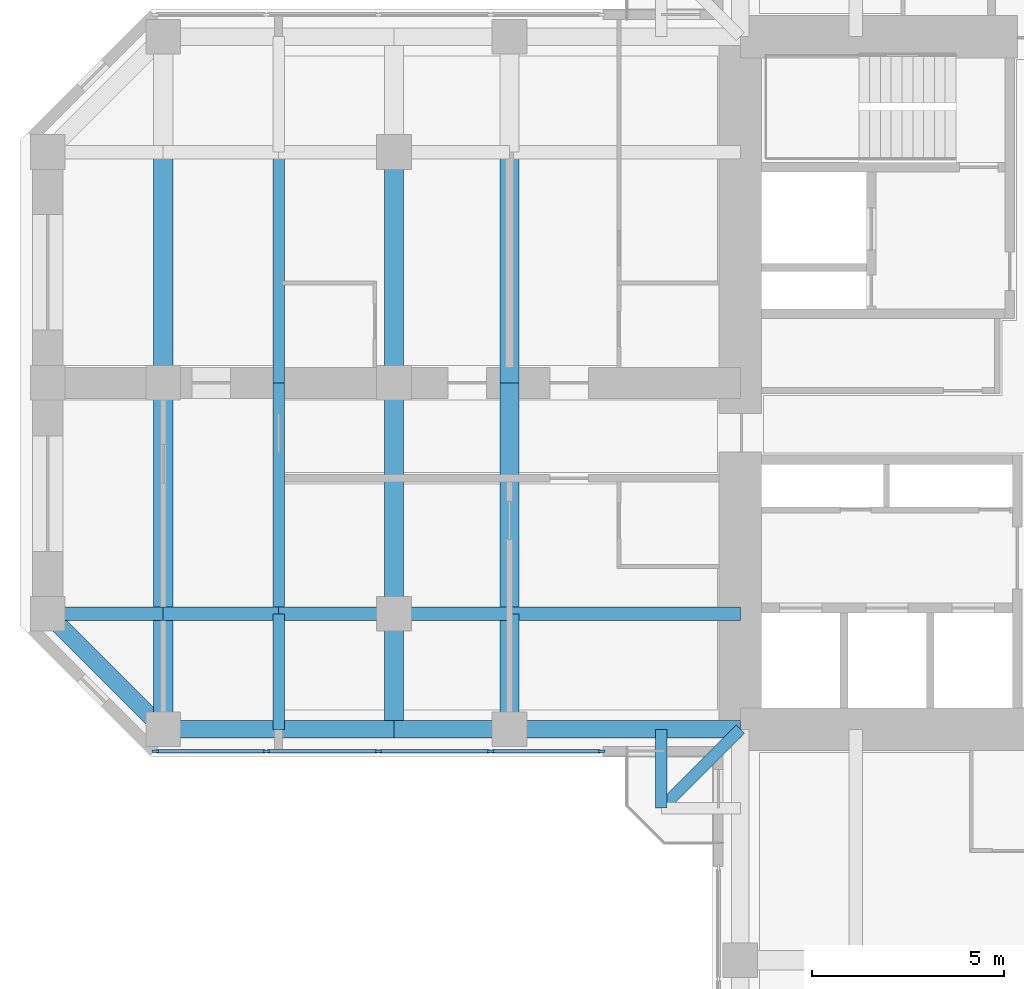
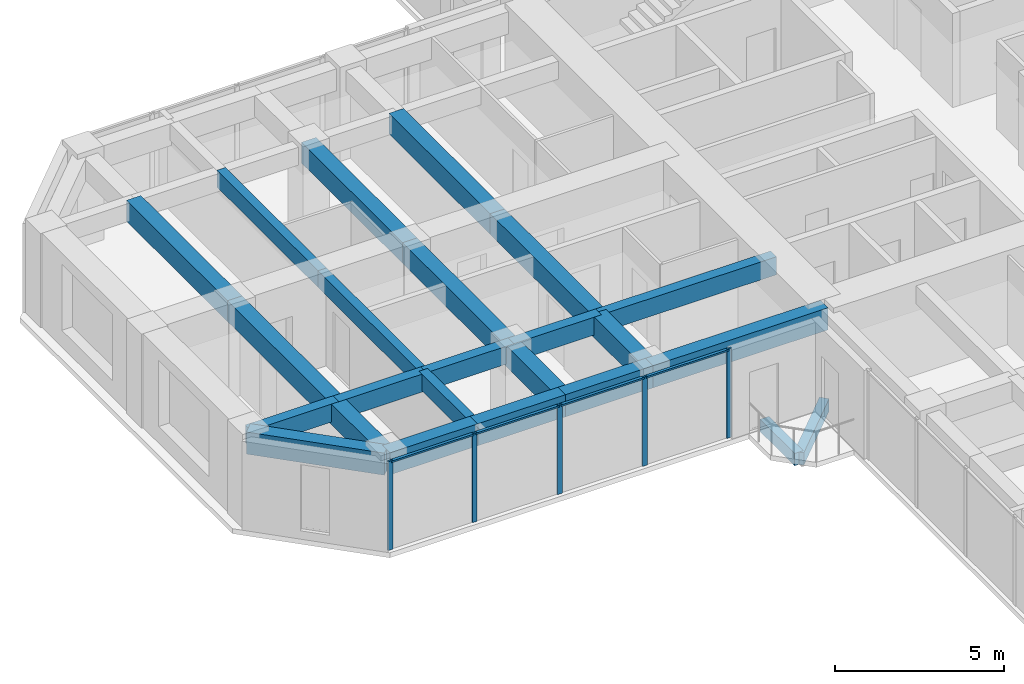
# One storey, part 3 of 14: 24 beams, 9 members, 1 element without a shape of its own.
"""IFC4 building model written with IfcOpenShell, lengths in metres."""

from ifc_helpers import new_model, si_unit, direction, frame, origin, origin_2d, place, context, subcontext, project, spatial, rectangle, extrude, material, material_profile, profile_set, type_object, element, aggregate, save


model = new_model("IFC4")

# Units and contexts
model_context = context("Model", 3, precision=1e-05, world=origin(), true_north=direction((0.0, 1.0)))
body_context = subcontext(model_context, "Body", "Model", "MODEL_VIEW")
ifc_project = project(units=[si_unit("LENGTHUNIT", "METRE"), si_unit("AREAUNIT", "SQUARE_METRE"), si_unit("VOLUMEUNIT", "CUBIC_METRE"), si_unit("PLANEANGLEUNIT", "RADIAN"), si_unit("MASSUNIT", "GRAM", prefix="KILO")], contexts=[model_context])

# Site, building, storey
site_placement = place(None, origin())
site = spatial("IfcSite", under=ifc_project, at=site_placement, CompositionType="ELEMENT")
building_placement = place(site_placement, origin())
building = spatial("IfcBuilding", under=site, at=building_placement, Name="Torre Cruceta", CompositionType="ELEMENT")
storey_placement = place(building_placement, frame((0.0, 0.0, 203.5)))
storey = spatial("IfcBuildingStorey", under=building, at=storey_placement, Name="L51", CompositionType="ELEMENT", Elevation=203.5)

# Beams
ifc_material_1 = material(Name="Concrete G60 (fck 60 MPa)", Category="concrete")
ifc_material_profile_1 = material_profile(ifc_material_1, rectangle(XDim=0.300048828125, YDim=0.449951171875, at=origin_2d()), Name="RC 300X450")
ifc_profile_set_1 = profile_set([ifc_material_profile_1], Name="Concrete G60 (fck 60 MPa)")
beam_type_1 = type_object("IfcBeamType", Name="BALCONY CANTILEVER BEAM RC 300X450", PredefinedType="BEAM", material=ifc_profile_set_1)
beam_1_placement = place(storey_placement, frame((-9.0, -9.0, -0.405029296875), z_axis=(-0.707106781187, -0.707106781187, 0.0), x_axis=(0.707106781187, -0.707106781187, 0.0)))
element("IfcBeam", 1, at=beam_1_placement, inside=storey, type_object=beam_type_1, Name="BB1 balcony beam L51 W", PredefinedType="BEAM", context=body_context, shape_type="SweptSolid", body=[
    extrude(rectangle(XDim=0.300048828125, YDim=0.449951171875, at=origin_2d()), origin(), (0.0, 0.0, 1.0), 2.89990234375),
])
beam_2_placement = place(storey_placement, frame((-11.050537109375, -9.0, -0.405029296875), z_axis=(0.0, -1.0, 0.0), x_axis=(1.0, 0.0, 0.0)))
element("IfcBeam", 2, at=beam_2_placement, inside=storey, type_object=beam_type_1, Name="BB1 balcony edge beam L51 W-X", PredefinedType="BEAM", context=body_context, shape_type="SweptSolid", body=[
    extrude(rectangle(XDim=0.300048828125, YDim=0.449951171875, at=origin_2d()), origin(), (0.0, 0.0, 1.0), 2.050537109375),
])
ifc_material_2 = material(Name="Concrete G60 (fck 60 MPa)", Category="concrete")
ifc_material_profile_2 = material_profile(ifc_material_2, rectangle(XDim=0.35009765625, YDim=0.64990234375, at=origin_2d()), Name="RC 350X650")
ifc_profile_set_2 = profile_set([ifc_material_profile_2], Name="Concrete G60 (fck 60 MPa)")
beam_type_2 = type_object("IfcBeamType", Name="COLUMN LINE BEAM RC 350X650", PredefinedType="BEAM", material=ifc_profile_set_2)
beam_3_placement = place(storey_placement, frame((-9.0, -6.0, 2.89501953125), z_axis=(-1.0, 0.0, 0.0), x_axis=(0.0, -1.0, 0.0)))
element("IfcBeam", 3, at=beam_3_placement, inside=storey, type_object=beam_type_2, Name="LB7 L51 W col+ 1", PredefinedType="BEAM", context=body_context, shape_type="SweptSolid", body=[
    extrude(rectangle(XDim=0.35009765625, YDim=0.64990234375, at=origin_2d()), origin(), (0.0, 0.0, 1.0), 6.0),
])
for number, where, z_axis, x_axis, name in (
    (4, (-15.0, -6.0, 2.89501953125), (-1.0, 0.0, 0.0), (0.0, -1.0, 0.0), "LB7 L51 W col+ 2"),
    (5, (-18.0, -6.0, 2.89501953125), (-1.0, 0.0, 0.0), (0.0, -1.0, 0.0), "LB7 L51 W col+ 3"),
    (6, (-21.0, -6.0, 2.89501953125), (-1.0, 0.0, 0.0), (0.0, -1.0, 0.0), "LB7 L51 W col+ 4"),
    (7, (-24.0, -6.0, 2.89501953125), (-1.0, 0.0, 0.0), (0.0, -1.0, 0.0), "LB7 L51 W col+ 5"),
):
    element("IfcBeam", number, at=place(storey_placement, frame(where, z_axis=z_axis, x_axis=x_axis)), inside=storey, type_object=beam_type_2, Name=name, PredefinedType="BEAM", context=body_context, shape_type="SweptSolid", body=[
        extrude(rectangle(XDim=0.35009765625, YDim=0.64990234375, at=origin_2d()), origin(), (0.0, 0.0, 1.0), 3.0),
    ])
ifc_material_3 = material(Name="Concrete G60 (fck 60 MPa)", Category="concrete")
ifc_material_profile_3 = material_profile(ifc_material_3, rectangle(XDim=0.5, YDim=0.75, at=origin_2d()), Name="RC 500X750")
ifc_profile_set_3 = profile_set([ifc_material_profile_3], Name="Concrete G60 (fck 60 MPa)")
beam_type_3 = type_object("IfcBeamType", Name="CROSS BEAM RC 500X750", PredefinedType="BEAM", material=ifc_profile_set_3)
for number, where, z_axis, x_axis, name in (
    (8, (-15.0, 6.0, 2.844970703125), (0.0, -1.0, 0.0), (1.0, 0.0, 0.0), "GB6 L51 W cross15 2"),
    (9, (-15.0, 0.0, 2.844970703125), (0.0, -1.0, 0.0), (1.0, 0.0, 0.0), "GB6 L51 W cross15 3"),
):
    element("IfcBeam", number, at=place(storey_placement, frame(where, z_axis=z_axis, x_axis=x_axis)), inside=storey, type_object=beam_type_3, Name=name, PredefinedType="BEAM", context=body_context, shape_type="SweptSolid", body=[
        extrude(rectangle(XDim=0.5, YDim=0.75, at=origin_2d()), origin(), (0.0, 0.0, 1.0), 6.0),
    ])
beam_4_placement = place(storey_placement, frame((-15.0, -6.0, 2.844970703125), z_axis=(0.0, -1.0, 0.0), x_axis=(1.0, 0.0, 0.0)))
element("IfcBeam", 10, at=beam_4_placement, inside=storey, type_object=beam_type_3, Name="GB6 L51 W cross15 4", PredefinedType="BEAM", context=body_context, shape_type="SweptSolid", body=[
    extrude(rectangle(XDim=0.5, YDim=0.75, at=origin_2d()), origin(), (0.0, 0.0, 1.0), 3.0),
])
for number, where, z_axis, x_axis, name in (
    (11, (-18.0, 6.0, 2.844970703125), (0.0, -1.0, 0.0), (1.0, 0.0, 0.0), "GB6 L51 W cross18 2"),
    (12, (-18.0, 0.0, 2.844970703125), (0.0, -1.0, 0.0), (1.0, 0.0, 0.0), "GB6 L51 W cross18 3"),
):
    element("IfcBeam", number, at=place(storey_placement, frame(where, z_axis=z_axis, x_axis=x_axis)), inside=storey, type_object=beam_type_3, Name=name, PredefinedType="BEAM", context=body_context, shape_type="SweptSolid", body=[
        extrude(rectangle(XDim=0.5, YDim=0.75, at=origin_2d()), origin(), (0.0, 0.0, 1.0), 6.0),
    ])
beam_5_placement = place(storey_placement, frame((-18.0, -6.0, 2.844970703125), z_axis=(0.0, -1.0, 0.0), x_axis=(1.0, 0.0, 0.0)))
element("IfcBeam", 13, at=beam_5_placement, inside=storey, type_object=beam_type_3, Name="GB6 L51 W cross18 4", PredefinedType="BEAM", context=body_context, shape_type="SweptSolid", body=[
    extrude(rectangle(XDim=0.5, YDim=0.75, at=origin_2d()), origin(), (0.0, 0.0, 1.0), 3.0),
])
for number, where, z_axis, x_axis, name in (
    (14, (-24.0, 6.0, 2.844970703125), (0.0, -1.0, 0.0), (1.0, 0.0, 0.0), "GB6 L51 W cross24 2"),
    (15, (-24.0, 0.0, 2.844970703125), (0.0, -1.0, 0.0), (1.0, 0.0, 0.0), "GB6 L51 W cross24 3"),
):
    element("IfcBeam", number, at=place(storey_placement, frame(where, z_axis=z_axis, x_axis=x_axis)), inside=storey, type_object=beam_type_3, Name=name, PredefinedType="BEAM", context=body_context, shape_type="SweptSolid", body=[
        extrude(rectangle(XDim=0.5, YDim=0.75, at=origin_2d()), origin(), (0.0, 0.0, 1.0), 6.0),
    ])
beam_6_placement = place(storey_placement, frame((-24.0, -6.0, 2.844970703125), z_axis=(0.0, -1.0, 0.0), x_axis=(1.0, 0.0, 0.0)))
element("IfcBeam", 16, at=beam_6_placement, inside=storey, type_object=beam_type_3, Name="GB6 L51 W cross24 4", PredefinedType="BEAM", context=body_context, shape_type="SweptSolid", body=[
    extrude(rectangle(XDim=0.5, YDim=0.75, at=origin_2d()), origin(), (0.0, 0.0, 1.0), 3.0),
])

# Curtain wall, members
ifc_material_4 = material(Name="Aluminium unitised curtain wall", Category="aluminium")
curtain_wall_type = type_object("IfcCurtainWallType", Name="CURTAIN WALL CW-C CO-LIVING", PredefinedType="USERDEFINED", material=ifc_material_4)
curtain_wall_placement = place(storey_placement, origin())
curtain_wall = element("IfcCurtainWall", 17, at=curtain_wall_placement, inside=storey, type_object=curtain_wall_type, Name="CW-C L51 W side 14", ObjectType="UNITISED", PredefinedType="USERDEFINED")
ifc_material_5 = material(Name="Aluminium mullion", Category="aluminium")
ifc_material_profile_4 = material_profile(ifc_material_5, rectangle(XDim=0.06005859375, YDim=0.159912109375, at=origin_2d()), Name="AL 60X160")
ifc_profile_set_4 = profile_set([ifc_material_profile_4], Name="Aluminium mullion")
member_type_1 = type_object("IfcMemberType", Name="CW-C MULLION 60X160", PredefinedType="MULLION", material=ifc_profile_set_4)
member_1_placement = place(storey_placement, frame((-24.2060546875, -9.570068359375, 0.0), z_axis=(0.0, 0.0, 1.0), x_axis=(0.0, 1.0, 0.0)))
member_1 = element("IfcMember", 18, at=member_1_placement, type_object=member_type_1, Name="CW-C mullion 1", PredefinedType="MULLION", context=body_context, shape_type="SweptSolid", body=[
    extrude(rectangle(XDim=0.06005859375, YDim=0.159912109375, at=origin_2d()), origin(), (0.0, 0.0, 1.0), 3.219970703125),
])
member_2_placement = place(storey_placement, frame((-21.319580078125, -9.570068359375, 0.0), z_axis=(0.0, 0.0, 1.0), x_axis=(0.0, 1.0, 0.0)))
member_2 = element("IfcMember", 19, at=member_2_placement, type_object=member_type_1, Name="CW-C mullion 2", PredefinedType="MULLION", context=body_context, shape_type="SweptSolid", body=[
    extrude(rectangle(XDim=0.06005859375, YDim=0.159912109375, at=origin_2d()), origin(), (0.0, 0.0, 1.0), 3.219970703125),
])
member_3_placement = place(storey_placement, frame((-18.403076171875, -9.570068359375, 0.0), z_axis=(0.0, 0.0, 1.0), x_axis=(0.0, 1.0, 0.0)))
member_3 = element("IfcMember", 20, at=member_3_placement, type_object=member_type_1, Name="CW-C mullion 3", PredefinedType="MULLION", context=body_context, shape_type="SweptSolid", body=[
    extrude(rectangle(XDim=0.06005859375, YDim=0.159912109375, at=origin_2d()), origin(), (0.0, 0.0, 1.0), 3.219970703125),
])
member_4_placement = place(storey_placement, frame((-15.486572265625, -9.570068359375, 0.0), z_axis=(0.0, 0.0, 1.0), x_axis=(0.0, 1.0, 0.0)))
member_4 = element("IfcMember", 21, at=member_4_placement, type_object=member_type_1, Name="CW-C mullion 4", PredefinedType="MULLION", context=body_context, shape_type="SweptSolid", body=[
    extrude(rectangle(XDim=0.06005859375, YDim=0.159912109375, at=origin_2d()), origin(), (0.0, 0.0, 1.0), 3.219970703125),
])
member_5_placement = place(storey_placement, frame((-12.60009765625, -9.570068359375, 0.0), z_axis=(0.0, 0.0, 1.0), x_axis=(0.0, 1.0, 0.0)))
member_5 = element("IfcMember", 22, at=member_5_placement, type_object=member_type_1, Name="CW-C mullion 5", PredefinedType="MULLION", context=body_context, shape_type="SweptSolid", body=[
    extrude(rectangle(XDim=0.06005859375, YDim=0.159912109375, at=origin_2d()), origin(), (0.0, 0.0, 1.0), 3.219970703125),
])
ifc_material_6 = material(Name="Aluminium transom", Category="aluminium")
ifc_material_profile_5 = material_profile(ifc_material_6, rectangle(XDim=0.10009765625, YDim=0.06005859375, at=origin_2d()), Name="AL 100X60")
ifc_profile_set_5 = profile_set([ifc_material_profile_5], Name="Aluminium transom")
member_type_2 = type_object("IfcMemberType", Name="CW-C TRANSOM 60X100", PredefinedType="USERDEFINED", material=ifc_profile_set_5)
member_6_placement = place(storey_placement, frame((-24.176025390625, -9.570068359375, 3.18994140625), z_axis=(1.0, 0.0, 0.0), x_axis=(0.0, 1.0, 0.0)))
member_6 = element("IfcMember", 23, at=member_6_placement, type_object=member_type_2, Name="CW-C transom 1", ObjectType="TRANSOM", PredefinedType="USERDEFINED", context=body_context, shape_type="SweptSolid", body=[
    extrude(rectangle(XDim=0.10009765625, YDim=0.06005859375, at=origin_2d()), origin(), (0.0, 0.0, 1.0), 2.826416015625),
])
member_7_placement = place(storey_placement, frame((-21.28955078125, -9.570068359375, 3.18994140625), z_axis=(1.0, 0.0, 0.0), x_axis=(0.0, 1.0, 0.0)))
member_7 = element("IfcMember", 24, at=member_7_placement, type_object=member_type_2, Name="CW-C transom 2", ObjectType="TRANSOM", PredefinedType="USERDEFINED", context=body_context, shape_type="SweptSolid", body=[
    extrude(rectangle(XDim=0.10009765625, YDim=0.06005859375, at=origin_2d()), origin(), (0.0, 0.0, 1.0), 2.8564453125),
])
member_8_placement = place(storey_placement, frame((-18.373046875, -9.570068359375, 3.18994140625), z_axis=(1.0, 0.0, 0.0), x_axis=(0.0, 1.0, 0.0)))
member_8 = element("IfcMember", 25, at=member_8_placement, type_object=member_type_2, Name="CW-C transom 3", ObjectType="TRANSOM", PredefinedType="USERDEFINED", context=body_context, shape_type="SweptSolid", body=[
    extrude(rectangle(XDim=0.10009765625, YDim=0.06005859375, at=origin_2d()), origin(), (0.0, 0.0, 1.0), 2.8564453125),
])
member_9_placement = place(storey_placement, frame((-15.45654296875, -9.570068359375, 3.18994140625), z_axis=(1.0, 0.0, 0.0), x_axis=(0.0, 1.0, 0.0)))
member_9 = element("IfcMember", 26, at=member_9_placement, type_object=member_type_2, Name="CW-C transom 4", ObjectType="TRANSOM", PredefinedType="USERDEFINED", context=body_context, shape_type="SweptSolid", body=[
    extrude(rectangle(XDim=0.10009765625, YDim=0.06005859375, at=origin_2d()), origin(), (0.0, 0.0, 1.0), 2.82666015625),
])
aggregate(curtain_wall, [member_1, member_2, member_3, member_4, member_5, member_6, member_7, member_8, member_9])

# Beams
ifc_material_7 = material(Name="Concrete G60 (fck 60 MPa)", Category="concrete")
ifc_material_profile_6 = material_profile(ifc_material_7, rectangle(XDim=0.300048828125, YDim=0.60009765625, at=origin_2d()), Name="RC 300X600")
ifc_profile_set_6 = profile_set([ifc_material_profile_6], Name="Concrete G60 (fck 60 MPa)")
beam_type_4 = type_object("IfcBeamType", Name="SECONDARY BEAM RC 300X600", PredefinedType="JOIST", material=ifc_profile_set_6)
for number, where, z_axis, x_axis, name in (
    (27, (-21.0, 6.0, 2.919921875), (0.0, -1.0, 0.0), (1.0, 0.0, 0.0), "JB6 L51 W sec21 2"),
    (28, (-21.0, 0.0, 2.919921875), (0.0, -1.0, 0.0), (1.0, 0.0, 0.0), "JB6 L51 W sec21 3"),
):
    element("IfcBeam", number, at=place(storey_placement, frame(where, z_axis=z_axis, x_axis=x_axis)), inside=storey, type_object=beam_type_4, Name=name, PredefinedType="JOIST", context=body_context, shape_type="SweptSolid", body=[
        extrude(rectangle(XDim=0.300048828125, YDim=0.60009765625, at=origin_2d()), origin(), (0.0, 0.0, 1.0), 6.0),
    ])
beam_7_placement = place(storey_placement, frame((-21.0, -6.0, 2.919921875), z_axis=(0.0, -1.0, 0.0), x_axis=(1.0, 0.0, 0.0)))
element("IfcBeam", 29, at=beam_7_placement, inside=storey, type_object=beam_type_4, Name="JB6 L51 W sec21 4", PredefinedType="JOIST", context=body_context, shape_type="SweptSolid", body=[
    extrude(rectangle(XDim=0.300048828125, YDim=0.60009765625, at=origin_2d()), origin(), (0.0, 0.0, 1.0), 3.0),
])
ifc_material_8 = material(Name="Concrete G60 (fck 60 MPa)", Category="concrete")
ifc_material_profile_7 = material_profile(ifc_material_8, rectangle(XDim=0.449951171875, YDim=0.800048828125, at=origin_2d()), Name="RC 450X800")
ifc_profile_set_7 = profile_set([ifc_material_profile_7], Name="Concrete G60 (fck 60 MPa)")
beam_type_5 = type_object("IfcBeamType", Name="SPANDREL BEAM RC 450X800", PredefinedType="SPANDREL", material=ifc_profile_set_7)
beam_8_placement = place(storey_placement, frame((-9.0, -9.0, 2.820068359375), z_axis=(-1.0, 0.0, 0.0), x_axis=(0.0, -1.0, 0.0)))
element("IfcBeam", 30, at=beam_8_placement, inside=storey, type_object=beam_type_5, Name="SB6 L51 W side+ 1", PredefinedType="SPANDREL", context=body_context, shape_type="SweptSolid", body=[
    extrude(rectangle(XDim=0.449951171875, YDim=0.800048828125, at=origin_2d()), origin(), (0.0, 0.0, 1.0), 6.0),
])
for number, where, z_axis, x_axis, name in (
    (31, (-15.0, -9.0, 2.820068359375), (-1.0, 0.0, 0.0), (0.0, -1.0, 0.0), "SB6 L51 W side+ 2"),
    (32, (-18.0, -9.0, 2.820068359375), (-1.0, 0.0, 0.0), (0.0, -1.0, 0.0), "SB6 L51 W side+ 3"),
    (33, (-21.0, -9.0, 2.820068359375), (-1.0, 0.0, 0.0), (0.0, -1.0, 0.0), "SB6 L51 W side+ 4"),
):
    element("IfcBeam", number, at=place(storey_placement, frame(where, z_axis=z_axis, x_axis=x_axis)), inside=storey, type_object=beam_type_5, Name=name, PredefinedType="SPANDREL", context=body_context, shape_type="SweptSolid", body=[
        extrude(rectangle(XDim=0.449951171875, YDim=0.800048828125, at=origin_2d()), origin(), (0.0, 0.0, 1.0), 3.0),
    ])
beam_9_placement = place(storey_placement, frame((-24.0, -9.0, 2.820068359375), z_axis=(-0.707106781187, 0.707106781187, 0.0), x_axis=(-0.707106781187, -0.707106781187, 0.0)))
element("IfcBeam", 34, at=beam_9_placement, inside=storey, type_object=beam_type_5, Name="SB6 L51 W side+ 5", PredefinedType="SPANDREL", context=body_context, shape_type="SweptSolid", body=[
    extrude(rectangle(XDim=0.449951171875, YDim=0.800048828125, at=origin_2d()), origin(), (0.0, 0.0, 1.0), 4.24267578125),
])

save(model, "model.ifc")
